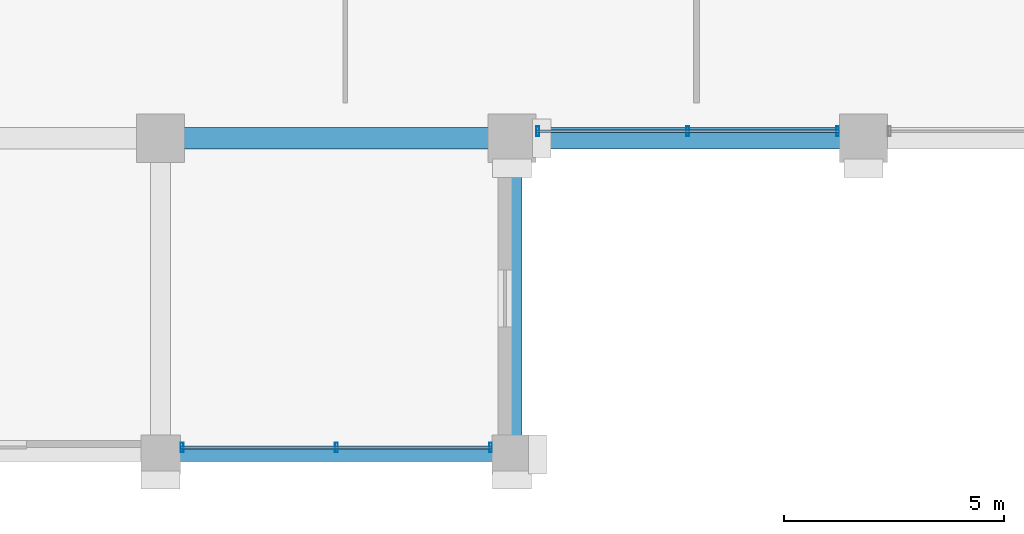
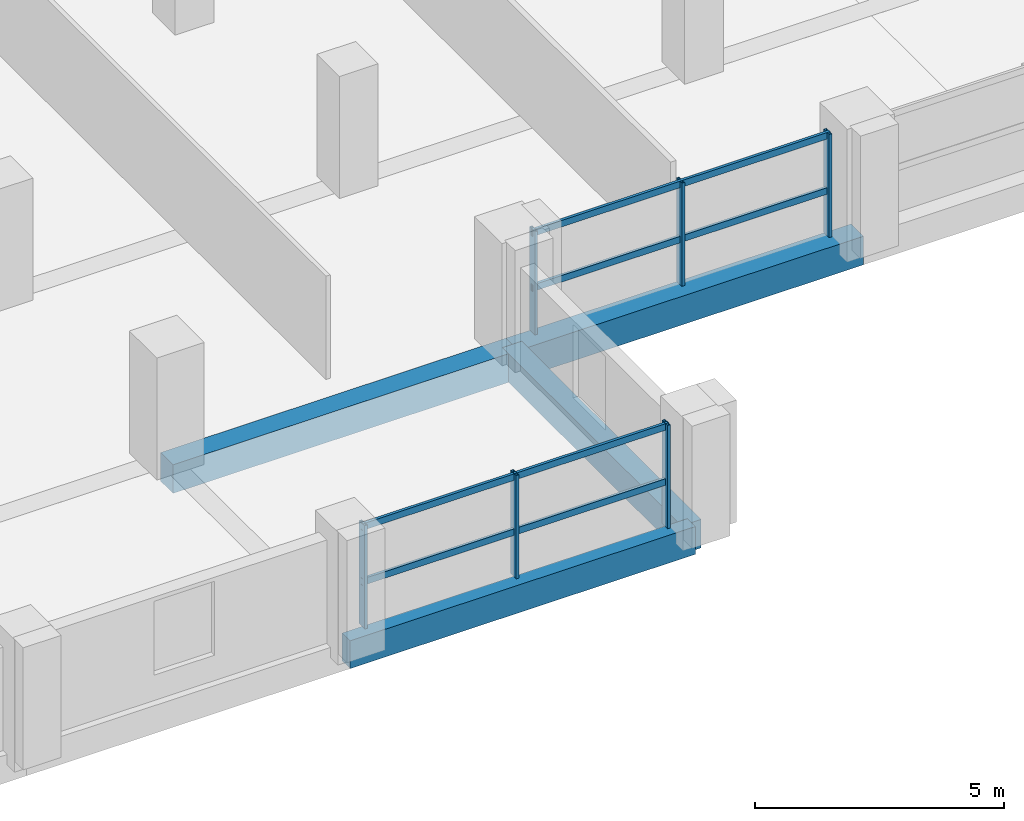
# One storey, part 2 of 21: 10 members, 4 beams, 2 elements without a shape of their own.
"""IFC4 building model written with IfcOpenShell, lengths in metres."""

from ifc_helpers import new_model, si_unit, direction, frame, origin, origin_2d, place, context, subcontext, project, spatial, rectangle, hollow_rectangle, extrude, material, material_profile, profile_set, type_object, element, aggregate, save


model = new_model("IFC4")

# Units and contexts
model_context = context("Model", 3, precision=1e-05, world=origin(), true_north=direction((0.0, 1.0)))
body_context = subcontext(model_context, "Body", "Model", "MODEL_VIEW")
ifc_project = project(units=[si_unit("LENGTHUNIT", "METRE"), si_unit("AREAUNIT", "SQUARE_METRE"), si_unit("VOLUMEUNIT", "CUBIC_METRE"), si_unit("PLANEANGLEUNIT", "RADIAN"), si_unit("MASSUNIT", "GRAM", prefix="KILO")], contexts=[model_context])

# Site, building, storey
site_placement = place(None, origin())
site = spatial("IfcSite", under=ifc_project, at=site_placement, CompositionType="ELEMENT")
building_placement = place(site_placement, origin())
building = spatial("IfcBuilding", under=site, at=building_placement, Name="Akrevak Sports Hall", CompositionType="ELEMENT")
storey_placement = place(building_placement, frame((0.0, 0.0, 27.550048828125)))
storey = spatial("IfcBuildingStorey", under=building, at=storey_placement, Name="L05", CompositionType="ELEMENT", Elevation=27.550048828125)

# Curtain wall, members
ifc_material_1 = material(Name="Anodized Bronze Aluminium & Low-E Glass", Category="aluminium")
curtain_wall_type = type_object("IfcCurtainWallType", Name="ARC-CW-TWR-68x30", PredefinedType="NOTDEFINED", material=ifc_material_1)
curtain_wall_1_placement = place(storey_placement, origin())
curtain_wall_1 = element("IfcCurtainWall", 1, at=curtain_wall_1_placement, inside=storey, type_object=curtain_wall_type, Name="Curtain Wall CW-L05-S03", PredefinedType="NOTDEFINED")
ifc_material_2 = material(Name="Anodized Bronze Aluminium", Category="aluminium")
ifc_material_profile_1 = material_profile(ifc_material_2, hollow_rectangle(XDim=0.06494140625, YDim=0.219970703125, WallThickness=0.00439453125, at=origin_2d()), Name="CWM 65x220", Category="aluminium")
ifc_profile_set_1 = profile_set([ifc_material_profile_1], Name="Anodized Bronze Aluminium")
member_type_1 = type_object("IfcMemberType", Name="ARC-CWM-70x160", PredefinedType="MULLION", material=ifc_profile_set_1)
member_1_placement = place(storey_placement, frame((60.489990234375, 21.760009765625, 0.0), z_axis=(0.0, 0.0, 1.0), x_axis=(1.0, 0.0, 0.0)))
member_1 = element("IfcMember", 2, at=member_1_placement, type_object=member_type_1, Name="Curtain Wall Mullion CW-L05-S03-M1", PredefinedType="MULLION", context=body_context, shape_type="SweptSolid", body=[
    extrude(hollow_rectangle(XDim=0.06494140625, YDim=0.219970703125, WallThickness=0.00439453125, at=origin_2d()), origin(), (0.0, 0.0, 1.0), 2.530029296875),
])
member_2_placement = place(storey_placement, frame((64.0, 21.760009765625, 0.0), z_axis=(0.0, 0.0, 1.0), x_axis=(1.0, 0.0, 0.0)))
member_2 = element("IfcMember", 3, at=member_2_placement, type_object=member_type_1, Name="Curtain Wall Mullion CW-L05-S03-M2", PredefinedType="MULLION", context=body_context, shape_type="SweptSolid", body=[
    extrude(hollow_rectangle(XDim=0.06494140625, YDim=0.219970703125, WallThickness=0.00439453125, at=origin_2d()), origin(), (0.0, 0.0, 1.0), 2.530029296875),
])
member_3_placement = place(storey_placement, frame((67.510009765625, 21.760009765625, 0.0), z_axis=(0.0, 0.0, 1.0), x_axis=(1.0, 0.0, 0.0)))
member_3 = element("IfcMember", 4, at=member_3_placement, type_object=member_type_1, Name="Curtain Wall Mullion CW-L05-S03-M3", PredefinedType="MULLION", context=body_context, shape_type="SweptSolid", body=[
    extrude(hollow_rectangle(XDim=0.06494140625, YDim=0.219970703125, WallThickness=0.00439453125, at=origin_2d()), origin(), (0.0, 0.0, 1.0), 2.530029296875),
])

curtain_wall_2_placement = place(storey_placement, origin())
curtain_wall_2 = element("IfcCurtainWall", 5, at=curtain_wall_2_placement, inside=storey, type_object=curtain_wall_type, Name="Curtain Wall CW-L05-S05", PredefinedType="NOTDEFINED")
member_4_placement = place(storey_placement, frame((68.590087890625, 28.9599609375, 0.0), z_axis=(0.0, 0.0, 1.0), x_axis=(1.0, 0.0, 0.0)))
member_4 = element("IfcMember", 6, at=member_4_placement, type_object=member_type_1, Name="Curtain Wall Mullion CW-L05-S05-M1", PredefinedType="MULLION", context=body_context, shape_type="SweptSolid", body=[
    extrude(hollow_rectangle(XDim=0.06494140625, YDim=0.219970703125, WallThickness=0.00439453125, at=origin_2d()), origin(), (0.0, 0.0, 1.0), 2.530029296875),
])
member_5_placement = place(storey_placement, frame((72.0, 28.9599609375, 0.0), z_axis=(0.0, 0.0, 1.0), x_axis=(1.0, 0.0, 0.0)))
member_5 = element("IfcMember", 7, at=member_5_placement, type_object=member_type_1, Name="Curtain Wall Mullion CW-L05-S05-M2", PredefinedType="MULLION", context=body_context, shape_type="SweptSolid", body=[
    extrude(hollow_rectangle(XDim=0.06494140625, YDim=0.219970703125, WallThickness=0.00439453125, at=origin_2d()), origin(), (0.0, 0.0, 1.0), 2.530029296875),
])
member_6_placement = place(storey_placement, frame((75.409912109375, 28.9599609375, 0.0), z_axis=(0.0, 0.0, 1.0), x_axis=(1.0, 0.0, 0.0)))
member_6 = element("IfcMember", 8, at=member_6_placement, type_object=member_type_1, Name="Curtain Wall Mullion CW-L05-S05-M3", PredefinedType="MULLION", context=body_context, shape_type="SweptSolid", body=[
    extrude(hollow_rectangle(XDim=0.06494140625, YDim=0.219970703125, WallThickness=0.00439453125, at=origin_2d()), origin(), (0.0, 0.0, 1.0), 2.530029296875),
])

# Member
ifc_material_profile_2 = material_profile(ifc_material_2, hollow_rectangle(XDim=0.06494140625, YDim=0.159912109375, WallThickness=0.00390625, at=origin_2d()), Name="CWT 65x160", Category="aluminium")
ifc_profile_set_2 = profile_set([ifc_material_profile_2], Name="Anodized Bronze Aluminium")
member_type_2 = type_object("IfcMemberType", Name="ARC-CWT-70x130", PredefinedType="USERDEFINED", material=ifc_profile_set_2)
member_7_placement = place(storey_placement, frame((60.449951171875, 21.760009765625, 1.099853515625), z_axis=(1.0, 0.0, 0.0), x_axis=(0.0, 1.0, 0.0)))
member_7 = element("IfcMember", 9, at=member_7_placement, type_object=member_type_2, Name="Curtain Wall Transom CW-L05-S03-T1", ObjectType="TRANSOM", PredefinedType="USERDEFINED", context=body_context, shape_type="SweptSolid", body=[
    extrude(hollow_rectangle(XDim=0.06494140625, YDim=0.159912109375, WallThickness=0.00390625, at=origin_2d()), origin(), (0.0, 0.0, 1.0), 7.10009765625),
])

member_8_placement = place(storey_placement, frame((60.449951171875, 21.760009765625, 2.449951171875), z_axis=(1.0, 0.0, 0.0), x_axis=(0.0, 1.0, 0.0)))
member_8 = element("IfcMember", 10, at=member_8_placement, type_object=member_type_2, Name="Curtain Wall Transom CW-L05-S03-T2", ObjectType="TRANSOM", PredefinedType="USERDEFINED", context=body_context, shape_type="SweptSolid", body=[
    extrude(hollow_rectangle(XDim=0.06494140625, YDim=0.159912109375, WallThickness=0.00390625, at=origin_2d()), origin(), (0.0, 0.0, 1.0), 7.10009765625),
])

aggregate(curtain_wall_1, [member_1, member_2, member_3, member_7, member_8])

member_9_placement = place(storey_placement, frame((68.550048828125, 28.9599609375, 1.099853515625), z_axis=(1.0, 0.0, 0.0), x_axis=(0.0, 1.0, 0.0)))
member_9 = element("IfcMember", 11, at=member_9_placement, type_object=member_type_2, Name="Curtain Wall Transom CW-L05-S05-T1", ObjectType="TRANSOM", PredefinedType="USERDEFINED", context=body_context, shape_type="SweptSolid", body=[
    extrude(hollow_rectangle(XDim=0.06494140625, YDim=0.159912109375, WallThickness=0.00390625, at=origin_2d()), origin(), (0.0, 0.0, 1.0), 6.89990234375),
])

member_10_placement = place(storey_placement, frame((68.550048828125, 28.9599609375, 2.449951171875), z_axis=(1.0, 0.0, 0.0), x_axis=(0.0, 1.0, 0.0)))
member_10 = element("IfcMember", 12, at=member_10_placement, type_object=member_type_2, Name="Curtain Wall Transom CW-L05-S05-T2", ObjectType="TRANSOM", PredefinedType="USERDEFINED", context=body_context, shape_type="SweptSolid", body=[
    extrude(hollow_rectangle(XDim=0.06494140625, YDim=0.159912109375, WallThickness=0.00390625, at=origin_2d()), origin(), (0.0, 0.0, 1.0), 6.89990234375),
])

aggregate(curtain_wall_2, [member_4, member_5, member_6, member_9, member_10])

# Beams
ifc_material_3 = material(Name="Concrete C40/50", Category="concrete")
ifc_material_profile_3 = material_profile(ifc_material_3, rectangle(XDim=0.449951171875, YDim=0.699951171875, at=origin_2d()), Name="BM 450x700", Category="concrete")
ifc_profile_set_3 = profile_set([ifc_material_profile_3], Name="Concrete C40/50")
beam_type_1 = type_object("IfcBeamType", Name="STR-BM-RC450x700", PredefinedType="BEAM", material=ifc_profile_set_3)
beam_1_placement = place(storey_placement, frame((68.0, 21.60009765625, -0.35009765625), z_axis=(0.0, 1.0, 0.0), x_axis=(-1.0, 0.0, 0.0)))
element("IfcBeam", 13, at=beam_1_placement, inside=storey, type_object=beam_type_1, Name="Girder 10/D-E (L05)", PredefinedType="BEAM", context=body_context, shape_type="SweptSolid", body=[
    extrude(rectangle(XDim=0.449951171875, YDim=0.699951171875, at=origin_2d()), origin(), (0.0, 0.0, 1.0), 7.199951171875),
])
ifc_material_profile_4 = material_profile(ifc_material_3, rectangle(XDim=0.5, YDim=0.699951171875, at=origin_2d()), Name="BM 500x700", Category="concrete")
ifc_profile_set_4 = profile_set([ifc_material_profile_4], Name="Concrete C40/50")
beam_type_2 = type_object("IfcBeamType", Name="STR-BM-RC500x700", PredefinedType="BEAM", material=ifc_profile_set_4)
for number, where, z_axis, x_axis, name in (
    (14, (60.0, 28.800048828125, -0.35009765625), (1.0, 0.0, 0.0), (0.0, 1.0, 0.0), "Girder E/9-10 (L05)"),
    (15, (68.0, 28.800048828125, -0.35009765625), (1.0, 0.0, 0.0), (0.0, 1.0, 0.0), "Girder E/10-11 (L05)"),
):
    element("IfcBeam", number, at=place(storey_placement, frame(where, z_axis=z_axis, x_axis=x_axis)), inside=storey, type_object=beam_type_2, Name=name, PredefinedType="BEAM", context=body_context, shape_type="SweptSolid", body=[
        extrude(rectangle(XDim=0.5, YDim=0.699951171875, at=origin_2d()), origin(), (0.0, 0.0, 1.0), 8.0),
    ])
ifc_material_profile_5 = material_profile(ifc_material_3, rectangle(XDim=0.320068359375, YDim=0.679931640625, at=origin_2d()), Name="SPD 320x680", Category="concrete")
ifc_profile_set_5 = profile_set([ifc_material_profile_5], Name="Concrete C40/50")
beam_type_3 = type_object("IfcBeamType", Name="STR-SPD-RC320x680", PredefinedType="SPANDREL", material=ifc_profile_set_5)
beam_2_placement = place(storey_placement, frame((60.0, 21.60009765625, -0.340087890625), z_axis=(1.0, 0.0, 0.0), x_axis=(0.0, 1.0, 0.0)))
element("IfcBeam", 16, at=beam_2_placement, inside=storey, type_object=beam_type_3, Name="Girder D/9-10 (L05)", PredefinedType="SPANDREL", context=body_context, shape_type="SweptSolid", body=[
    extrude(rectangle(XDim=0.320068359375, YDim=0.679931640625, at=origin_2d()), origin(), (0.0, 0.0, 1.0), 8.0),
])

save(model, "model.ifc")
